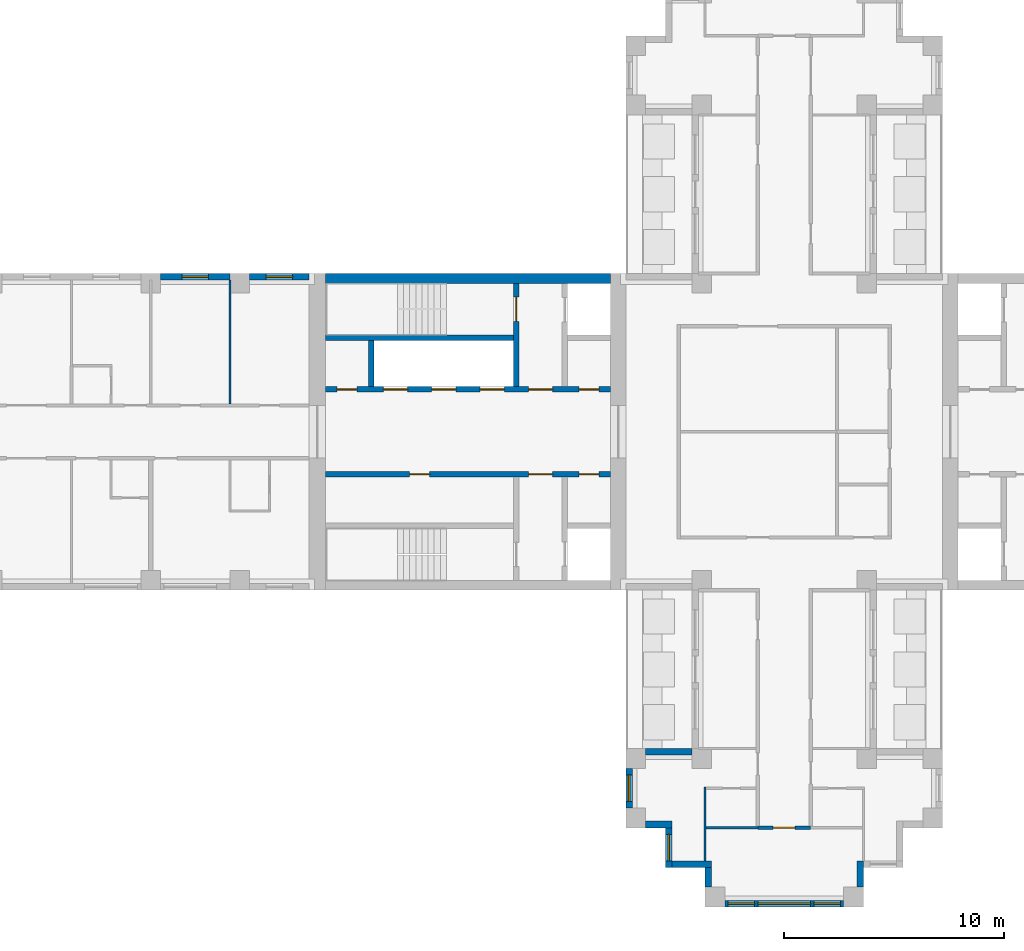
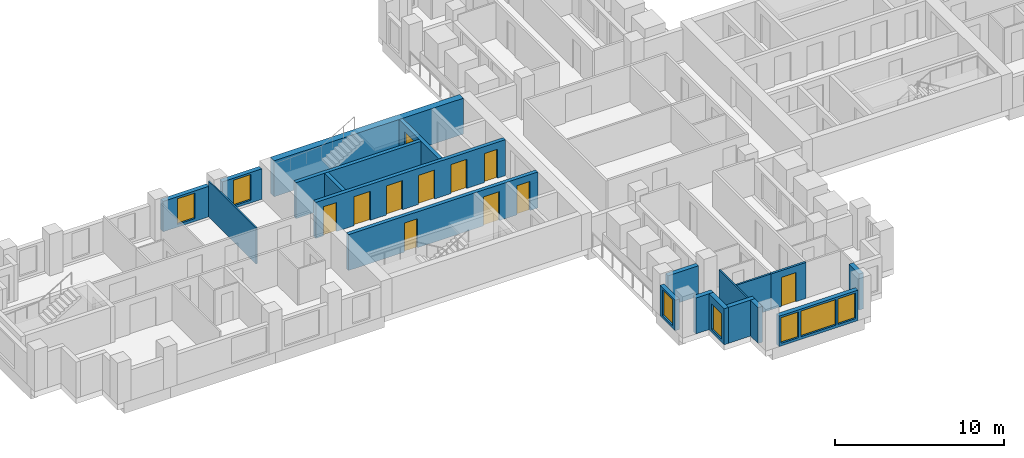
# One storey, part 4 of 12: 20 walls, 11 doors, 7 windows, 18 openings.
"""IFC4 building model written with IfcOpenShell, lengths in metres."""

from ifc_helpers import new_model, si_unit, direction, frame, frame_2d, origin, place, context, subcontext, project, spatial, rectangle, extrude, material, layer, layer_set, type_object, element, fill, save


model = new_model("IFC4")

# Units and contexts
model_context = context("Model", 3, precision=1e-05, world=origin(), true_north=direction((0.0, 1.0)))
body_context = subcontext(model_context, "Body", "Model", "MODEL_VIEW")
ifc_project = project(units=[si_unit("LENGTHUNIT", "METRE"), si_unit("AREAUNIT", "SQUARE_METRE"), si_unit("VOLUMEUNIT", "CUBIC_METRE"), si_unit("PLANEANGLEUNIT", "RADIAN"), si_unit("MASSUNIT", "GRAM", prefix="KILO")], contexts=[model_context])

# Site, building, storey
site_placement = place(None, origin())
site = spatial("IfcSite", under=ifc_project, at=site_placement, CompositionType="ELEMENT")
building_placement = place(site_placement, origin())
building = spatial("IfcBuilding", under=site, at=building_placement, Name="Fustian Cross Tower", CompositionType="ELEMENT")
storey_placement = place(building_placement, frame((0.0, 0.0, 135.300048828125)))
storey = spatial("IfcBuildingStorey", under=building, at=storey_placement, Name="L42", CompositionType="ELEMENT", Elevation=135.300048828125)

# Wall, opening, door
ifc_material_1 = material(Name="Plasterboard on steel stud", Category="steel")
ifc_layer_1 = layer(ifc_material_1, 0.14990234375)
ifc_layer_set_1 = layer_set([ifc_layer_1], Name="Plasterboard on steel stud")
wall_type_1 = type_object("IfcWallType", Name="COMPARTMENT WALL 150 EI 60", PredefinedType="PARTITIONING", material=ifc_layer_set_1)
wall_1_placement = place(storey_placement, frame((-1.199951171875, -18.0, 0.0), z_axis=(0.0, 0.0, 1.0), x_axis=(1.0, 0.0, 0.0)))
wall_1 = element("IfcWall", 1, at=wall_1_placement, inside=storey, type_object=wall_type_1, Name="Partition 30", PredefinedType="PARTITIONING", context=body_context, shape_type="SweptSolid", body=[
    extrude(rectangle(XDim=2.39990234375, YDim=0.14990234375, at=frame_2d((1.199951171875, 0.0))), origin(), (0.0, 0.0, 1.0), 2.599853515625),
])
opening_1_placement = place(wall_1_placement, frame((0.699951171875, 0.0, 0.0)))
opening_1 = element("IfcOpeningElement", 2, at=opening_1_placement, cuts=wall_1, Name="Opening D19030", PredefinedType="OPENING", context=body_context, shape_type="SweptSolid", body=[
    extrude(rectangle(XDim=1.0, YDim=2.10009765625, at=frame_2d((0.5, 1.050048828125))), frame((0.0, 0.0849609375, 0.0), z_axis=(0.0, -1.0, 0.0), x_axis=(1.0, 0.0, 0.0)), (0.0, 0.0, 1.0), 0.169921875),
])
ifc_material_2 = material(Name="Timber fire door set", Category="wood")
door_type_1 = type_object("IfcDoorType", Name="FIRE SWING DOOR 1000 FD30S", OperationType="SINGLE_SWING_LEFT", PredefinedType="DOOR", material=ifc_material_2)
door_1_placement = place(opening_1_placement, frame((1.0, 0.0, 0.0), z_axis=(0.0, 0.0, 1.0), x_axis=(-1.0, 0.0, 0.0)))
door_1 = element("IfcDoor", 3, at=door_1_placement, inside=storey, type_object=door_type_1, Name="Door D19030", OperationType="SINGLE_SWING_RIGHT", OverallHeight=2.10009765625, OverallWidth=1.0, PredefinedType="DOOR", context=body_context, shape_type="SweptSolid", body=[
    extrude(rectangle(XDim=1.0, YDim=2.10009765625, at=frame_2d((0.5, 1.050048828125))), frame((0.0, 0.02490234375, 0.0), z_axis=(0.0, -1.0, 0.0), x_axis=(1.0, 0.0, 0.0)), (0.0, 0.0, 1.0), 0.050048828125),
])
fill(opening_1, door_1)

# Wall
ifc_material_3 = material(Name="Concrete C60/75", Category="concrete")
ifc_layer_2 = layer(ifc_material_3, 0.449951171875)
ifc_layer_set_2 = layer_set([ifc_layer_2], Name="Concrete C60/75")
wall_type_2 = type_object("IfcWallType", Name="CORE FACADE WALL 450 C60/75", PredefinedType="SHEAR", material=ifc_layer_set_2)
wall_2_placement = place(storey_placement, frame((-7.89990234375, 6.97509765625, 0.0), z_axis=(0.0, 0.0, 1.0), x_axis=(-1.0, 0.0, 0.0)))
element("IfcWall", 4, at=wall_2_placement, inside=storey, type_object=wall_type_2, Name="Core facade wall", PredefinedType="SHEAR", context=body_context, shape_type="SweptSolid", body=[
    extrude(rectangle(XDim=12.9501953125, YDim=0.449951171875, at=frame_2d((6.47509765625, 0.0))), origin(), (0.0, 0.0, 1.0), 2.599853515625),
])

# Wall, openings, doors
ifc_material_4 = material(Name="Concrete C50/60", Category="concrete")
ifc_layer_3 = layer(ifc_material_4, 0.25)
ifc_layer_set_3 = layer_set([ifc_layer_3], Name="Concrete C50/60")
wall_type_3 = type_object("IfcWallType", Name="CORE LOBBY WALL 250 C50/60", PredefinedType="SHEAR", material=ifc_layer_set_3)
wall_3_placement = place(storey_placement, frame((-7.89990234375, 1.925048828125, 0.0), z_axis=(0.0, 0.0, 1.0), x_axis=(-1.0, 0.0, 0.0)))
wall_3 = element("IfcWall", 5, at=wall_3_placement, inside=storey, type_object=wall_type_3, Name="Core lobby wall", PredefinedType="SHEAR", context=body_context, shape_type="SweptSolid", body=[
    extrude(rectangle(XDim=12.9501953125, YDim=0.25, at=frame_2d((6.47509765625, 0.0))), origin(), (0.0, 0.0, 1.0), 2.599853515625),
])
opening_2_placement = place(wall_3_placement, frame((4.824951171875, 0.0, 0.0)))
opening_2 = element("IfcOpeningElement", 6, at=opening_2_placement, cuts=wall_3, Name="Opening LD", PredefinedType="OPENING", context=body_context, shape_type="SweptSolid", body=[
    extrude(rectangle(XDim=1.10009765625, YDim=2.10009765625, at=frame_2d((0.550048828125, 1.050048828125))), frame((0.0, 0.135009765625, 0.0), z_axis=(0.0, -1.0, 0.0), x_axis=(1.0, 0.0, 0.0)), (0.0, 0.0, 1.0), 0.27001953125),
])
opening_3_placement = place(wall_3_placement, frame((7.02490234375, 0.0, 0.0)))
opening_3 = element("IfcOpeningElement", 7, at=opening_3_placement, cuts=wall_3, Name="Opening LD", PredefinedType="OPENING", context=body_context, shape_type="SweptSolid", body=[
    extrude(rectangle(XDim=1.10009765625, YDim=2.10009765625, at=frame_2d((0.550048828125, 1.050048828125))), frame((0.0, 0.135009765625, 0.0), z_axis=(0.0, -1.0, 0.0), x_axis=(1.0, 0.0, 0.0)), (0.0, 0.0, 1.0), 0.27001953125),
])
opening_4_placement = place(wall_3_placement, frame((9.22509765625, 0.0, 0.0)))
opening_4 = element("IfcOpeningElement", 8, at=opening_4_placement, cuts=wall_3, Name="Opening LD", PredefinedType="OPENING", context=body_context, shape_type="SweptSolid", body=[
    extrude(rectangle(XDim=1.10009765625, YDim=2.10009765625, at=frame_2d((0.550048828125, 1.050048828125))), frame((0.0, 0.135009765625, 0.0), z_axis=(0.0, -1.0, 0.0), x_axis=(1.0, 0.0, 0.0)), (0.0, 0.0, 1.0), 0.27001953125),
])
opening_5_placement = place(wall_3_placement, frame((0.52490234375, 0.0, 0.0)))
opening_5 = element("IfcOpeningElement", 9, at=opening_5_placement, cuts=wall_3, Name="Opening CD-17-23", PredefinedType="OPENING", context=body_context, shape_type="SweptSolid", body=[
    extrude(rectangle(XDim=0.89990234375, YDim=2.10009765625, at=frame_2d((0.449951171875, 1.050048828125))), frame((0.0, 0.135009765625, 0.0), z_axis=(0.0, -1.0, 0.0), x_axis=(1.0, 0.0, 0.0)), (0.0, 0.0, 1.0), 0.27001953125),
])
opening_6_placement = place(wall_3_placement, frame((2.625, 0.0, 0.0)))
opening_6 = element("IfcOpeningElement", 10, at=opening_6_placement, cuts=wall_3, Name="Opening CD-17-25", PredefinedType="OPENING", context=body_context, shape_type="SweptSolid", body=[
    extrude(rectangle(XDim=1.10009765625, YDim=2.10009765625, at=frame_2d((0.550048828125, 1.050048828125))), frame((0.0, 0.135009765625, 0.0), z_axis=(0.0, -1.0, 0.0), x_axis=(1.0, 0.0, 0.0)), (0.0, 0.0, 1.0), 0.27001953125),
])
opening_7_placement = place(wall_3_placement, frame((11.52490234375, 0.0, 0.0)))
opening_7 = element("IfcOpeningElement", 11, at=opening_7_placement, cuts=wall_3, Name="Opening CD-17-29", PredefinedType="OPENING", context=body_context, shape_type="SweptSolid", body=[
    extrude(rectangle(XDim=0.89990234375, YDim=2.10009765625, at=frame_2d((0.449951171875, 1.050048828125))), frame((0.0, 0.135009765625, 0.0), z_axis=(0.0, -1.0, 0.0), x_axis=(1.0, 0.0, 0.0)), (0.0, 0.0, 1.0), 0.27001953125),
])
ifc_material_5 = material(Name="Steel", Category="steel")
door_type_2 = type_object("IfcDoorType", Name="FIRE DOOR FD30S 900X2100", OperationType="SINGLE_SWING_LEFT", PredefinedType="DOOR", material=ifc_material_5)
door_2_placement = place(opening_7_placement, frame((0.89990234375, 0.0, 0.0), z_axis=(0.0, 0.0, 1.0), x_axis=(-1.0, 0.0, 0.0)))
door_2 = element("IfcDoor", 12, at=door_2_placement, inside=storey, type_object=door_type_2, Name="Core door CD-17-29", OperationType="SINGLE_SWING_RIGHT", OverallHeight=2.10009765625, OverallWidth=0.89990234375, PredefinedType="DOOR", context=body_context, shape_type="SweptSolid", body=[
    extrude(rectangle(XDim=0.89990234375, YDim=2.10009765625, at=frame_2d((0.449951171875, 1.050048828125))), frame((0.0, 0.02490234375, 0.0), z_axis=(0.0, -1.0, 0.0), x_axis=(1.0, 0.0, 0.0)), (0.0, 0.0, 1.0), 0.050048828125),
])
fill(opening_7, door_2)
ifc_material_6 = material(Name="Steel", Category="steel")
door_type_3 = type_object("IfcDoorType", Name="FIRE DOOR FD60S 1100X2100", OperationType="SINGLE_SWING_LEFT", PredefinedType="DOOR", material=ifc_material_6)
door_3_placement = place(opening_6_placement, frame((1.10009765625, 0.0, 0.0), z_axis=(0.0, 0.0, 1.0), x_axis=(-1.0, 0.0, 0.0)))
door_3 = element("IfcDoor", 13, at=door_3_placement, inside=storey, type_object=door_type_3, Name="Core door CD-17-25", OperationType="SINGLE_SWING_RIGHT", OverallHeight=2.10009765625, OverallWidth=1.10009765625, PredefinedType="DOOR", context=body_context, shape_type="SweptSolid", body=[
    extrude(rectangle(XDim=1.10009765625, YDim=2.10009765625, at=frame_2d((0.550048828125, 1.050048828125))), frame((0.0, 0.02490234375, 0.0), z_axis=(0.0, -1.0, 0.0), x_axis=(1.0, 0.0, 0.0)), (0.0, 0.0, 1.0), 0.050048828125),
])
fill(opening_6, door_3)
ifc_material_7 = material(Name="Steel", Category="steel")
door_type_4 = type_object("IfcDoorType", Name="FIRE DOOR FD60S 900X2100", OperationType="SINGLE_SWING_LEFT", PredefinedType="DOOR", material=ifc_material_7)
door_4_placement = place(opening_5_placement, frame((0.89990234375, 0.0, 0.0), z_axis=(0.0, 0.0, 1.0), x_axis=(-1.0, 0.0, 0.0)))
door_4 = element("IfcDoor", 14, at=door_4_placement, inside=storey, type_object=door_type_4, Name="Core door CD-17-23", OperationType="SINGLE_SWING_RIGHT", OverallHeight=2.10009765625, OverallWidth=0.89990234375, PredefinedType="DOOR", context=body_context, shape_type="SweptSolid", body=[
    extrude(rectangle(XDim=0.89990234375, YDim=2.10009765625, at=frame_2d((0.449951171875, 1.050048828125))), frame((0.0, 0.02490234375, 0.0), z_axis=(0.0, -1.0, 0.0), x_axis=(1.0, 0.0, 0.0)), (0.0, 0.0, 1.0), 0.050048828125),
])
fill(opening_5, door_4)
ifc_material_8 = material(Name="Stainless steel", Category="steel")
door_type_5 = type_object("IfcDoorType", Name="LIFT LANDING DOOR 1100X2100", OperationType="SLIDING_TO_LEFT", PredefinedType="DOOR", material=ifc_material_8)
door_5_placement = place(opening_2_placement, origin())
door_5 = element("IfcDoor", 15, at=door_5_placement, inside=storey, type_object=door_type_5, Name="Landing door HR1W", OperationType="SLIDING_TO_LEFT", OverallHeight=2.10009765625, OverallWidth=1.10009765625, PredefinedType="DOOR", context=body_context, shape_type="SweptSolid", body=[
    extrude(rectangle(XDim=1.10009765625, YDim=2.10009765625, at=frame_2d((0.550048828125, 1.050048828125))), frame((0.0, 0.02490234375, 0.0), z_axis=(0.0, -1.0, 0.0), x_axis=(1.0, 0.0, 0.0)), (0.0, 0.0, 1.0), 0.050048828125),
])
fill(opening_2, door_5)
door_6_placement = place(opening_3_placement, origin())
door_6 = element("IfcDoor", 16, at=door_6_placement, inside=storey, type_object=door_type_5, Name="Landing door HR2W", OperationType="SLIDING_TO_LEFT", OverallHeight=2.10009765625, OverallWidth=1.10009765625, PredefinedType="DOOR", context=body_context, shape_type="SweptSolid", body=[
    extrude(rectangle(XDim=1.10009765625, YDim=2.10009765625, at=frame_2d((0.550048828125, 1.050048828125))), frame((0.0, 0.02490234375, 0.0), z_axis=(0.0, -1.0, 0.0), x_axis=(1.0, 0.0, 0.0)), (0.0, 0.0, 1.0), 0.050048828125),
])
fill(opening_3, door_6)
door_7_placement = place(opening_4_placement, origin())
door_7 = element("IfcDoor", 17, at=door_7_placement, inside=storey, type_object=door_type_5, Name="Landing door HR3W", OperationType="SLIDING_TO_LEFT", OverallHeight=2.10009765625, OverallWidth=1.10009765625, PredefinedType="DOOR", context=body_context, shape_type="SweptSolid", body=[
    extrude(rectangle(XDim=1.10009765625, YDim=2.10009765625, at=frame_2d((0.550048828125, 1.050048828125))), frame((0.0, 0.02490234375, 0.0), z_axis=(0.0, -1.0, 0.0), x_axis=(1.0, 0.0, 0.0)), (0.0, 0.0, 1.0), 0.050048828125),
])
fill(opening_4, door_7)

wall_4_placement = place(storey_placement, frame((-7.89990234375, -1.925048828125, 0.0), z_axis=(0.0, 0.0, 1.0), x_axis=(-1.0, 0.0, 0.0)))
wall_4 = element("IfcWall", 18, at=wall_4_placement, inside=storey, type_object=wall_type_3, Name="Core lobby wall", PredefinedType="SHEAR", context=body_context, shape_type="SweptSolid", body=[
    extrude(rectangle(XDim=12.9501953125, YDim=0.25, at=frame_2d((6.47509765625, 0.0))), origin(), (0.0, 0.0, 1.0), 2.599853515625),
])
opening_8_placement = place(wall_4_placement, frame((0.52490234375, 0.0, 0.0)))
opening_8 = element("IfcOpeningElement", 19, at=opening_8_placement, cuts=wall_4, Name="Opening CD-17-24", PredefinedType="OPENING", context=body_context, shape_type="SweptSolid", body=[
    extrude(rectangle(XDim=0.89990234375, YDim=2.10009765625, at=frame_2d((0.449951171875, 1.050048828125))), frame((0.0, 0.135009765625, 0.0), z_axis=(0.0, -1.0, 0.0), x_axis=(1.0, 0.0, 0.0)), (0.0, 0.0, 1.0), 0.27001953125),
])
opening_9_placement = place(wall_4_placement, frame((2.625, 0.0, 0.0)))
opening_9 = element("IfcOpeningElement", 20, at=opening_9_placement, cuts=wall_4, Name="Opening CD-17-26", PredefinedType="OPENING", context=body_context, shape_type="SweptSolid", body=[
    extrude(rectangle(XDim=1.10009765625, YDim=2.10009765625, at=frame_2d((0.550048828125, 1.050048828125))), frame((0.0, 0.135009765625, 0.0), z_axis=(0.0, -1.0, 0.0), x_axis=(1.0, 0.0, 0.0)), (0.0, 0.0, 1.0), 0.27001953125),
])
opening_10_placement = place(wall_4_placement, frame((8.22509765625, 0.0, 0.0)))
opening_10 = element("IfcOpeningElement", 21, at=opening_10_placement, cuts=wall_4, Name="Opening CD-17-30", PredefinedType="OPENING", context=body_context, shape_type="SweptSolid", body=[
    extrude(rectangle(XDim=0.89990234375, YDim=2.10009765625, at=frame_2d((0.449951171875, 1.050048828125))), frame((0.0, 0.135009765625, 0.0), z_axis=(0.0, -1.0, 0.0), x_axis=(1.0, 0.0, 0.0)), (0.0, 0.0, 1.0), 0.27001953125),
])
ifc_material_9 = material(Name="Steel", Category="steel")
door_type_6 = type_object("IfcDoorType", Name="FIRE DOOR FD30S 1100X2100", OperationType="SINGLE_SWING_LEFT", PredefinedType="DOOR", material=ifc_material_9)
door_8_placement = place(opening_9_placement, frame((1.10009765625, 0.0, 0.0), z_axis=(0.0, 0.0, 1.0), x_axis=(-1.0, 0.0, 0.0)))
door_8 = element("IfcDoor", 22, at=door_8_placement, inside=storey, type_object=door_type_6, Name="Core door CD-17-26", OperationType="SINGLE_SWING_RIGHT", OverallHeight=2.10009765625, OverallWidth=1.10009765625, PredefinedType="DOOR", context=body_context, shape_type="SweptSolid", body=[
    extrude(rectangle(XDim=1.10009765625, YDim=2.10009765625, at=frame_2d((0.550048828125, 1.050048828125))), frame((0.0, 0.02490234375, 0.0), z_axis=(0.0, -1.0, 0.0), x_axis=(1.0, 0.0, 0.0)), (0.0, 0.0, 1.0), 0.050048828125),
])
fill(opening_9, door_8)
door_9_placement = place(opening_8_placement, origin())
door_9 = element("IfcDoor", 23, at=door_9_placement, inside=storey, type_object=door_type_2, Name="Core door CD-17-24", OperationType="SINGLE_SWING_LEFT", OverallHeight=2.10009765625, OverallWidth=0.89990234375, PredefinedType="DOOR", context=body_context, shape_type="SweptSolid", body=[
    extrude(rectangle(XDim=0.89990234375, YDim=2.10009765625, at=frame_2d((0.449951171875, 1.050048828125))), frame((0.0, 0.02490234375, 0.0), z_axis=(0.0, -1.0, 0.0), x_axis=(1.0, 0.0, 0.0)), (0.0, 0.0, 1.0), 0.050048828125),
])
fill(opening_8, door_9)
door_10_placement = place(opening_10_placement, origin())
door_10 = element("IfcDoor", 24, at=door_10_placement, inside=storey, type_object=door_type_2, Name="Core door CD-17-30", OperationType="SINGLE_SWING_RIGHT", OverallHeight=2.10009765625, OverallWidth=0.89990234375, PredefinedType="DOOR", context=body_context, shape_type="SweptSolid", body=[
    extrude(rectangle(XDim=0.89990234375, YDim=2.10009765625, at=frame_2d((0.449951171875, 1.050048828125))), frame((0.0, 0.02490234375, 0.0), z_axis=(0.0, -1.0, 0.0), x_axis=(1.0, 0.0, 0.0)), (0.0, 0.0, 1.0), 0.050048828125),
])
fill(opening_10, door_10)

# Wall
ifc_material_10 = material(Name="Concrete C50/60", Category="concrete")
ifc_layer_4 = layer(ifc_material_10, 0.25)
ifc_layer_set_4 = layer_set([ifc_layer_4], Name="Concrete C50/60")
wall_type_4 = type_object("IfcWallType", Name="CORE SHAFT WALL 250 C50/60", PredefinedType="SHEAR", material=ifc_layer_set_4)
wall_5_placement = place(storey_placement, frame((-12.300048828125, 4.27490234375, 0.0), z_axis=(0.0, 0.0, 1.0), x_axis=(-1.0, 0.0, 0.0)))
element("IfcWall", 25, at=wall_5_placement, inside=storey, type_object=wall_type_4, Name="Core shaft wall", PredefinedType="SHEAR", context=body_context, shape_type="SweptSolid", body=[
    extrude(rectangle(XDim=8.550048828125, YDim=0.25, at=frame_2d((4.27490234375, 0.0))), origin(), (0.0, 0.0, 1.0), 2.599853515625),
])

# Wall, opening, door
wall_6_placement = place(storey_placement, frame((-12.175048828125, 2.050048828125, 0.0), z_axis=(0.0, 0.0, 1.0), x_axis=(0.0, 1.0, 0.0)))
wall_6 = element("IfcWall", 26, at=wall_6_placement, inside=storey, type_object=wall_type_4, Name="Core shaft wall", PredefinedType="SHEAR", context=body_context, shape_type="SweptSolid", body=[
    extrude(rectangle(XDim=4.699951171875, YDim=0.25, at=frame_2d((2.35009765625, 0.0))), origin(), (0.0, 0.0, 1.0), 2.599853515625),
])
opening_11_placement = place(wall_6_placement, frame((2.97509765625, 0.0, 0.0)))
opening_11 = element("IfcOpeningElement", 27, at=opening_11_placement, cuts=wall_6, Name="Opening CD-17-21", PredefinedType="OPENING", context=body_context, shape_type="SweptSolid", body=[
    extrude(rectangle(XDim=1.10009765625, YDim=2.10009765625, at=frame_2d((0.550048828125, 1.050048828125))), frame((0.0, 0.135009765625, 0.0), z_axis=(0.0, -1.0, 0.0), x_axis=(1.0, 0.0, 0.0)), (0.0, 0.0, 1.0), 0.27001953125),
])
door_11_placement = place(opening_11_placement, origin())
door_11 = element("IfcDoor", 28, at=door_11_placement, inside=storey, type_object=door_type_3, Name="Core door CD-17-21", OperationType="SINGLE_SWING_LEFT", OverallHeight=2.10009765625, OverallWidth=1.10009765625, PredefinedType="DOOR", context=body_context, shape_type="SweptSolid", body=[
    extrude(rectangle(XDim=1.10009765625, YDim=2.10009765625, at=frame_2d((0.550048828125, 1.050048828125))), frame((0.0, 0.02490234375, 0.0), z_axis=(0.0, -1.0, 0.0), x_axis=(1.0, 0.0, 0.0)), (0.0, 0.0, 1.0), 0.050048828125),
])
fill(opening_11, door_11)

# Walls
ifc_material_11 = material(Name="Plasterboard on steel stud", Category="steel")
ifc_layer_5 = layer(ifc_material_11, 0.10009765625)
ifc_layer_set_5 = layer_set([ifc_layer_5], Name="Plasterboard on steel stud")
wall_type_5 = type_object("IfcWallType", Name="PARTITION 100 STUD", PredefinedType="PARTITIONING", material=ifc_layer_set_5)
wall_7_placement = place(storey_placement, frame((-25.199951171875, 1.27490234375, 0.0), z_axis=(0.0, 0.0, 1.0), x_axis=(0.0, 1.0, 0.0)))
element("IfcWall", 29, at=wall_7_placement, inside=storey, type_object=wall_type_5, Name="Partition 14", PredefinedType="PARTITIONING", context=body_context, shape_type="SweptSolid", body=[
    extrude(rectangle(XDim=5.625, YDim=0.10009765625, at=frame_2d((2.8125, 0.0))), origin(), (0.0, 0.0, 1.0), 2.599853515625),
])
wall_8_placement = place(storey_placement, frame((-3.60009765625, -19.5, 0.0), z_axis=(0.0, 0.0, 1.0), x_axis=(0.0, 1.0, 0.0)))
element("IfcWall", 30, at=wall_8_placement, inside=storey, type_object=wall_type_5, Name="Partition 24", PredefinedType="PARTITIONING", context=body_context, shape_type="SweptSolid", body=[
    extrude(rectangle(XDim=3.35009765625, YDim=0.10009765625, at=frame_2d((1.675048828125, 0.0))), origin(), (0.0, 0.0, 1.0), 2.599853515625),
])
ifc_material_12 = material(Name="Concrete C40/50", Category="concrete")
ifc_layer_6 = layer(ifc_material_12, 0.25)
ifc_layer_set_6 = layer_set([ifc_layer_6], Name="Concrete C40/50")
wall_type_6 = type_object("IfcWallType", Name="SHAFT PARTITION WALL 250 C40/50", PredefinedType="PARTITIONING", material=ifc_layer_set_6)
wall_9_placement = place(storey_placement, frame((-18.77490234375, 2.050048828125, 0.0), z_axis=(0.0, 0.0, 1.0), x_axis=(0.0, 1.0, 0.0)))
element("IfcWall", 31, at=wall_9_placement, inside=storey, type_object=wall_type_6, Name="Core shaft wall", PredefinedType="PARTITIONING", context=body_context, shape_type="SweptSolid", body=[
    extrude(rectangle(XDim=2.099853515625, YDim=0.25, at=frame_2d((1.0498046875, 0.0))), origin(), (0.0, 0.0, 1.0), 2.599853515625),
])
ifc_material_13 = material(Name="Plasterboard on steel stud", Category="steel")
ifc_layer_7 = layer(ifc_material_13, 0.125)
ifc_layer_set_7 = layer_set([ifc_layer_7], Name="Plasterboard on steel stud")
wall_type_7 = type_object("IfcWallType", Name="WET WALL 125 STUD", PredefinedType="PARTITIONING", material=ifc_layer_set_7)
wall_10_placement = place(storey_placement, frame((-3.550048828125, -18.0, 0.0), z_axis=(0.0, 0.0, 1.0), x_axis=(1.0, 0.0, 0.0)))
element("IfcWall", 32, at=wall_10_placement, inside=storey, type_object=wall_type_7, Name="Partition 25", PredefinedType="PARTITIONING", context=body_context, shape_type="SweptSolid", body=[
    extrude(rectangle(XDim=2.35009765625, YDim=0.125, at=frame_2d((1.175048828125, 0.0))), origin(), (0.0, 0.0, 1.0), 2.599853515625),
])

# Wall, opening, window
ifc_material_14 = material(Name="Dark aluminium cladding on insulated backing wall", Category="aluminium")
ifc_layer_8 = layer(ifc_material_14, 0.300048828125)
ifc_layer_set_8 = layer_set([ifc_layer_8], Name="Dark aluminium cladding on insulated backing wall")
wall_type_8 = type_object("IfcWallType", Name="XW1 EXTERNAL WALL 300", PredefinedType="SOLIDWALL", material=ifc_layer_set_8)
wall_11_placement = place(storey_placement, frame((-21.60009765625, 7.050048828125, 0.0), z_axis=(0.0, 0.0, 1.0), x_axis=(-1.0, 0.0, 0.0)))
wall_11 = element("IfcWall", 33, at=wall_11_placement, inside=storey, type_object=wall_type_8, Name="External wall", PredefinedType="SOLIDWALL", context=body_context, shape_type="SweptSolid", body=[
    extrude(rectangle(XDim=2.699951171875, YDim=0.300048828125, at=frame_2d((1.35009765625, 0.0))), origin(), (0.0, 0.0, 1.0), 2.199951171875),
])
opening_12_placement = place(wall_11_placement, frame((0.75, 0.0, 0.199951171875)))
opening_12 = element("IfcOpeningElement", 34, at=opening_12_placement, cuts=wall_11, Name="Opening WN3", PredefinedType="OPENING", context=body_context, shape_type="SweptSolid", body=[
    extrude(rectangle(XDim=1.199951171875, YDim=1.85009765625, at=frame_2d((0.60009765625, 0.925048828125))), frame((0.0, 0.159912109375, 0.0), z_axis=(0.0, -1.0, 0.0), x_axis=(1.0, 0.0, 0.0)), (0.0, 0.0, 1.0), 0.320068359375),
])
ifc_material_15 = material(Name="Dark anodised aluminium and double glazing", Category="aluminium")
window_type_1 = type_object("IfcWindowType", Name="WN3 WINDOW 1200X1850", PartitioningType="SINGLE_PANEL", PredefinedType="WINDOW", material=ifc_material_15)
window_1_placement = place(opening_12_placement, origin())
window_1 = element("IfcWindow", 35, at=window_1_placement, inside=storey, type_object=window_type_1, Name="Window", OverallHeight=1.85009765625, OverallWidth=1.199951171875, PartitioningType="SINGLE_PANEL", PredefinedType="WINDOW", context=body_context, shape_type="SweptSolid", body=[
    extrude(rectangle(XDim=1.199951171875, YDim=1.85009765625, at=frame_2d((0.60009765625, 0.925048828125))), frame((0.0, 0.030029296875, 0.0), z_axis=(0.0, -1.0, 0.0), x_axis=(1.0, 0.0, 0.0)), (0.0, 0.0, 1.0), 0.06005859375),
])
fill(opening_12, window_1)

wall_12_placement = place(storey_placement, frame((-25.199951171875, 7.050048828125, 0.0), z_axis=(0.0, 0.0, 1.0), x_axis=(-1.0, 0.0, 0.0)))
wall_12 = element("IfcWall", 36, at=wall_12_placement, inside=storey, type_object=wall_type_8, Name="External wall", PredefinedType="SOLIDWALL", context=body_context, shape_type="SweptSolid", body=[
    extrude(rectangle(XDim=3.150146484375, YDim=0.300048828125, at=frame_2d((1.5751953125, 0.0))), origin(), (0.0, 0.0, 1.0), 2.199951171875),
])
opening_13_placement = place(wall_12_placement, frame((0.97509765625, 0.0, 0.199951171875)))
opening_13 = element("IfcOpeningElement", 37, at=opening_13_placement, cuts=wall_12, Name="Opening WN3", PredefinedType="OPENING", context=body_context, shape_type="SweptSolid", body=[
    extrude(rectangle(XDim=1.199951171875, YDim=1.85009765625, at=frame_2d((0.60009765625, 0.925048828125))), frame((0.0, 0.159912109375, 0.0), z_axis=(0.0, -1.0, 0.0), x_axis=(1.0, 0.0, 0.0)), (0.0, 0.0, 1.0), 0.320068359375),
])
window_2_placement = place(opening_13_placement, origin())
window_2 = element("IfcWindow", 38, at=window_2_placement, inside=storey, type_object=window_type_1, Name="Window", OverallHeight=1.85009765625, OverallWidth=1.199951171875, PartitioningType="SINGLE_PANEL", PredefinedType="WINDOW", context=body_context, shape_type="SweptSolid", body=[
    extrude(rectangle(XDim=1.199951171875, YDim=1.85009765625, at=frame_2d((0.60009765625, 0.925048828125))), frame((0.0, 0.030029296875, 0.0), z_axis=(0.0, -1.0, 0.0), x_axis=(1.0, 0.0, 0.0)), (0.0, 0.0, 1.0), 0.06005859375),
])
fill(opening_13, window_2)

# Wall
wall_13_placement = place(storey_placement, frame((-4.199951171875, -14.550048828125, 0.0), z_axis=(0.0, 0.0, 1.0), x_axis=(-1.0, 0.0, 0.0)))
element("IfcWall", 39, at=wall_13_placement, inside=storey, type_object=wall_type_8, Name="External wall", PredefinedType="SOLIDWALL", context=body_context, shape_type="SweptSolid", body=[
    extrude(rectangle(XDim=2.10009765625, YDim=0.300048828125, at=frame_2d((1.050048828125, 0.0))), origin(), (0.0, 0.0, 1.0), 2.199951171875),
])

# Wall, opening, window
wall_14_placement = place(storey_placement, frame((-7.050048828125, -15.300048828125, 0.0), z_axis=(0.0, 0.0, 1.0), x_axis=(0.0, -1.0, 0.0)))
wall_14 = element("IfcWall", 40, at=wall_14_placement, inside=storey, type_object=wall_type_8, Name="External wall", PredefinedType="SOLIDWALL", context=body_context, shape_type="SweptSolid", body=[
    extrude(rectangle(XDim=1.800048828125, YDim=0.300048828125, at=frame_2d((0.89990234375, 0.0))), origin(), (0.0, 0.0, 1.0), 2.199951171875),
])
opening_14_placement = place(wall_14_placement, frame((0.300048828125, 0.0, 0.199951171875)))
opening_14 = element("IfcOpeningElement", 41, at=opening_14_placement, cuts=wall_14, Name="Opening WN3", PredefinedType="OPENING", context=body_context, shape_type="SweptSolid", body=[
    extrude(rectangle(XDim=1.199951171875, YDim=1.85009765625, at=frame_2d((0.60009765625, 0.925048828125))), frame((0.0, 0.159912109375, 0.0), z_axis=(0.0, -1.0, 0.0), x_axis=(1.0, 0.0, 0.0)), (0.0, 0.0, 1.0), 0.320068359375),
])
window_3_placement = place(opening_14_placement, origin())
window_3 = element("IfcWindow", 42, at=window_3_placement, inside=storey, type_object=window_type_1, Name="Window", OverallHeight=1.85009765625, OverallWidth=1.199951171875, PartitioningType="SINGLE_PANEL", PredefinedType="WINDOW", context=body_context, shape_type="SweptSolid", body=[
    extrude(rectangle(XDim=1.199951171875, YDim=1.85009765625, at=frame_2d((0.60009765625, 0.925048828125))), frame((0.0, 0.030029296875, 0.0), z_axis=(0.0, -1.0, 0.0), x_axis=(1.0, 0.0, 0.0)), (0.0, 0.0, 1.0), 0.06005859375),
])
fill(opening_14, window_3)

# Wall
wall_15_placement = place(storey_placement, frame((-6.300048828125, -17.85009765625, 0.0), z_axis=(0.0, 0.0, 1.0), x_axis=(1.0, 0.0, 0.0)))
element("IfcWall", 43, at=wall_15_placement, inside=storey, type_object=wall_type_8, Name="External wall", PredefinedType="SOLIDWALL", context=body_context, shape_type="SweptSolid", body=[
    extrude(rectangle(XDim=1.199951171875, YDim=0.300048828125, at=frame_2d((0.60009765625, 0.0))), origin(), (0.0, 0.0, 1.0), 2.599853515625),
])

# Wall, opening, window
wall_16_placement = place(storey_placement, frame((-5.25, -18.0, 0.0), z_axis=(0.0, 0.0, 1.0), x_axis=(0.0, -1.0, 0.0)))
wall_16 = element("IfcWall", 44, at=wall_16_placement, inside=storey, type_object=wall_type_8, Name="External wall", PredefinedType="SOLIDWALL", context=body_context, shape_type="SweptSolid", body=[
    extrude(rectangle(XDim=1.800048828125, YDim=0.300048828125, at=frame_2d((0.89990234375, 0.0))), origin(), (0.0, 0.0, 1.0), 2.599853515625),
])
opening_15_placement = place(wall_16_placement, frame((0.300048828125, 0.0, 0.199951171875)))
opening_15 = element("IfcOpeningElement", 45, at=opening_15_placement, cuts=wall_16, Name="Opening WN3", PredefinedType="OPENING", context=body_context, shape_type="SweptSolid", body=[
    extrude(rectangle(XDim=1.199951171875, YDim=1.85009765625, at=frame_2d((0.60009765625, 0.925048828125))), frame((0.0, 0.159912109375, 0.0), z_axis=(0.0, -1.0, 0.0), x_axis=(1.0, 0.0, 0.0)), (0.0, 0.0, 1.0), 0.320068359375),
])
window_4_placement = place(opening_15_placement, origin())
window_4 = element("IfcWindow", 46, at=window_4_placement, inside=storey, type_object=window_type_1, Name="Window", OverallHeight=1.85009765625, OverallWidth=1.199951171875, PartitioningType="SINGLE_PANEL", PredefinedType="WINDOW", context=body_context, shape_type="SweptSolid", body=[
    extrude(rectangle(XDim=1.199951171875, YDim=1.85009765625, at=frame_2d((0.60009765625, 0.925048828125))), frame((0.0, 0.030029296875, 0.0), z_axis=(0.0, -1.0, 0.0), x_axis=(1.0, 0.0, 0.0)), (0.0, 0.0, 1.0), 0.06005859375),
])
fill(opening_15, window_4)

# Walls
wall_17_placement = place(storey_placement, frame((-5.10009765625, -19.64990234375, 0.0), z_axis=(0.0, 0.0, 1.0), x_axis=(1.0, 0.0, 0.0)))
element("IfcWall", 47, at=wall_17_placement, inside=storey, type_object=wall_type_8, Name="External wall", PredefinedType="SOLIDWALL", context=body_context, shape_type="SweptSolid", body=[
    extrude(rectangle(XDim=1.800048828125, YDim=0.300048828125, at=frame_2d((0.89990234375, 0.0))), origin(), (0.0, 0.0, 1.0), 2.599853515625),
])
wall_18_placement = place(storey_placement, frame((-3.449951171875, -19.800048828125, 0.0), z_axis=(0.0, 0.0, 1.0), x_axis=(0.0, -1.0, 0.0)))
element("IfcWall", 48, at=wall_18_placement, inside=storey, type_object=wall_type_8, Name="External wall", PredefinedType="SOLIDWALL", context=body_context, shape_type="SweptSolid", body=[
    extrude(rectangle(XDim=0.89990234375, YDim=0.300048828125, at=frame_2d((0.449951171875, 0.0))), origin(), (0.0, 0.0, 1.0), 2.599853515625),
])

# Wall, openings, windows
wall_19_placement = place(storey_placement, frame((-2.699951171875, -21.449951171875, 0.0), z_axis=(0.0, 0.0, 1.0), x_axis=(1.0, 0.0, 0.0)))
wall_19 = element("IfcWall", 49, at=wall_19_placement, inside=storey, type_object=wall_type_8, Name="External wall", PredefinedType="SOLIDWALL", context=body_context, shape_type="SweptSolid", body=[
    extrude(rectangle(XDim=5.39990234375, YDim=0.300048828125, at=frame_2d((2.699951171875, 0.0))), origin(), (0.0, 0.0, 1.0), 2.199951171875),
])
opening_16_placement = place(wall_19_placement, frame((1.5, 0.0, 0.199951171875)))
opening_16 = element("IfcOpeningElement", 50, at=opening_16_placement, cuts=wall_19, Name="Opening WN1", PredefinedType="OPENING", context=body_context, shape_type="SweptSolid", body=[
    extrude(rectangle(XDim=2.39990234375, YDim=1.85009765625, at=frame_2d((1.199951171875, 0.925048828125))), frame((0.0, 0.159912109375, 0.0), z_axis=(0.0, -1.0, 0.0), x_axis=(1.0, 0.0, 0.0)), (0.0, 0.0, 1.0), 0.320068359375),
])
opening_17_placement = place(wall_19_placement, frame((0.14990234375, 0.0, 0.199951171875)))
opening_17 = element("IfcOpeningElement", 51, at=opening_17_placement, cuts=wall_19, Name="Opening WN3", PredefinedType="OPENING", context=body_context, shape_type="SweptSolid", body=[
    extrude(rectangle(XDim=1.199951171875, YDim=1.85009765625, at=frame_2d((0.60009765625, 0.925048828125))), frame((0.0, 0.159912109375, 0.0), z_axis=(0.0, -1.0, 0.0), x_axis=(1.0, 0.0, 0.0)), (0.0, 0.0, 1.0), 0.320068359375),
])
opening_18_placement = place(wall_19_placement, frame((4.050048828125, 0.0, 0.199951171875)))
opening_18 = element("IfcOpeningElement", 52, at=opening_18_placement, cuts=wall_19, Name="Opening WN3", PredefinedType="OPENING", context=body_context, shape_type="SweptSolid", body=[
    extrude(rectangle(XDim=1.199951171875, YDim=1.85009765625, at=frame_2d((0.60009765625, 0.925048828125))), frame((0.0, 0.159912109375, 0.0), z_axis=(0.0, -1.0, 0.0), x_axis=(1.0, 0.0, 0.0)), (0.0, 0.0, 1.0), 0.320068359375),
])
ifc_material_16 = material(Name="Dark anodised aluminium and double glazing", Category="aluminium")
window_type_2 = type_object("IfcWindowType", Name="WN1 WINDOW 2400X1850", PartitioningType="SINGLE_PANEL", PredefinedType="WINDOW", material=ifc_material_16)
window_5_placement = place(opening_16_placement, origin())
window_5 = element("IfcWindow", 53, at=window_5_placement, inside=storey, type_object=window_type_2, Name="Window", OverallHeight=1.85009765625, OverallWidth=2.39990234375, PartitioningType="SINGLE_PANEL", PredefinedType="WINDOW", context=body_context, shape_type="SweptSolid", body=[
    extrude(rectangle(XDim=2.39990234375, YDim=1.85009765625, at=frame_2d((1.199951171875, 0.925048828125))), frame((0.0, 0.030029296875, 0.0), z_axis=(0.0, -1.0, 0.0), x_axis=(1.0, 0.0, 0.0)), (0.0, 0.0, 1.0), 0.06005859375),
])
fill(opening_16, window_5)
window_6_placement = place(opening_17_placement, origin())
window_6 = element("IfcWindow", 54, at=window_6_placement, inside=storey, type_object=window_type_1, Name="Window", OverallHeight=1.85009765625, OverallWidth=1.199951171875, PartitioningType="SINGLE_PANEL", PredefinedType="WINDOW", context=body_context, shape_type="SweptSolid", body=[
    extrude(rectangle(XDim=1.199951171875, YDim=1.85009765625, at=frame_2d((0.60009765625, 0.925048828125))), frame((0.0, 0.030029296875, 0.0), z_axis=(0.0, -1.0, 0.0), x_axis=(1.0, 0.0, 0.0)), (0.0, 0.0, 1.0), 0.06005859375),
])
fill(opening_17, window_6)
window_7_placement = place(opening_18_placement, origin())
window_7 = element("IfcWindow", 55, at=window_7_placement, inside=storey, type_object=window_type_1, Name="Window", OverallHeight=1.85009765625, OverallWidth=1.199951171875, PartitioningType="SINGLE_PANEL", PredefinedType="WINDOW", context=body_context, shape_type="SweptSolid", body=[
    extrude(rectangle(XDim=1.199951171875, YDim=1.85009765625, at=frame_2d((0.60009765625, 0.925048828125))), frame((0.0, 0.030029296875, 0.0), z_axis=(0.0, -1.0, 0.0), x_axis=(1.0, 0.0, 0.0)), (0.0, 0.0, 1.0), 0.06005859375),
])
fill(opening_18, window_7)

# Wall
wall_20_placement = place(storey_placement, frame((3.449951171875, -20.699951171875, 0.0), z_axis=(0.0, 0.0, 1.0), x_axis=(0.0, 1.0, 0.0)))
element("IfcWall", 56, at=wall_20_placement, inside=storey, type_object=wall_type_8, Name="External wall", PredefinedType="SOLIDWALL", context=body_context, shape_type="SweptSolid", body=[
    extrude(rectangle(XDim=1.199951171875, YDim=0.300048828125, at=frame_2d((0.60009765625, 0.0))), origin(), (0.0, 0.0, 1.0), 2.599853515625),
])

save(model, "model.ifc")
